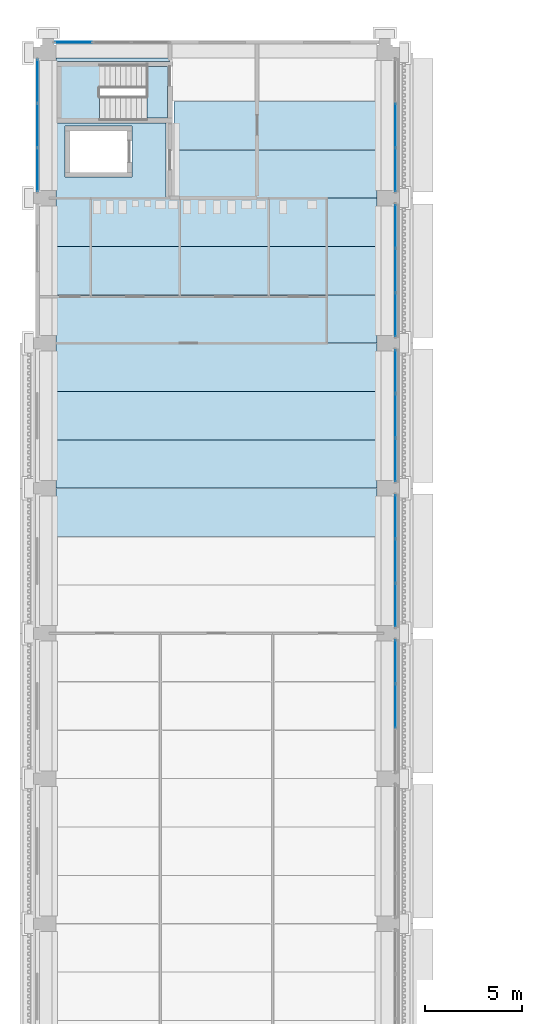
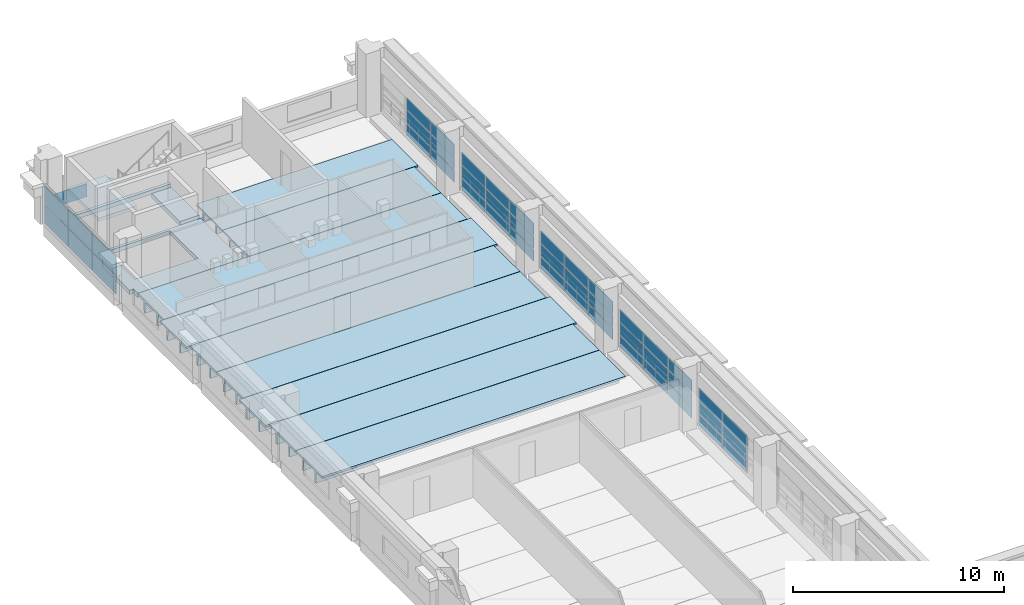
# One storey, part 25 of 71: 46 plates, 12 slabs, 8 elements without a shape of their own.
"""IFC4 building model written with IfcOpenShell, lengths in metres."""

import ifcopenshell
import ifcopenshell.guid

model = None  # the IFC model being written
_history = None  # IfcOwnerHistory: only IFC2X3 demands one
_inside = {}  # id of a spatial element -> (the spatial element, [elements in it])
_under = {}  # id of a project, library or spatial element -> (it, [spatial elements below it])
_declared = {}  # id of a project -> (the project, [libraries it declares])
_typed = {}  # id of a type object -> (the type object, [elements of that type])
_made_of = {}  # id of a material, layer set ... -> (it, [elements and type objects made of it])


def new_model(schema):
    """Start an empty IFC model of exactly this schema.

    Asked for "IFC4X3", IfcOpenShell would pick the latest addendum, in which some entities
    have other attributes; the version numbers below select the first issue.
    IFC2X3 requires an IfcOwnerHistory on every rooted entity: one is made here for all.
    """
    global model, _history
    if schema == "IFC4X3":
        model = ifcopenshell.file(schema_version=(4, 3, 0, 0))
    else:
        model = ifcopenshell.file(schema=schema)
    _inside.clear()
    _under.clear()
    _declared.clear()
    _typed.clear()
    _made_of.clear()
    _history = None
    if model.schema == "IFC2X3":
        org = make("IfcOrganization", Name="unknown")
        user = make(
            "IfcPersonAndOrganization",
            ThePerson=make("IfcPerson", FamilyName="unknown"),
            TheOrganization=org,
        )
        app = make(
            "IfcApplication",
            ApplicationDeveloper=org,
            Version="unknown",
            ApplicationFullName="unknown",
            ApplicationIdentifier="unknown",
        )
        _history = make(
            "IfcOwnerHistory",
            OwningUser=user,
            OwningApplication=app,
            ChangeAction="ADDED",
            CreationDate=0,
        )
    return model


def make(cls, **values):
    """One entity of the class cls with the attributes given. An attribute that is None is left unset."""
    return model.create_entity(
        cls, **{name: value for name, value in values.items() if value is not None}
    )


def rooted(cls, **values):
    """An entity with a GlobalId (a new one), such as an element, a storey or a relation."""
    return make(cls, GlobalId=ifcopenshell.guid.new(), OwnerHistory=_history, **values)


def si_unit(unit_type, name, prefix=None):
    """IfcSIUnit, for example si_unit("LENGTHUNIT", "METRE", prefix="MILLI")."""
    return make("IfcSIUnit", UnitType=unit_type, Prefix=prefix, Name=name)


def assignment(units):
    """IfcUnitAssignment: the units of a project."""
    return None if units is None else make("IfcUnitAssignment", Units=units)


def point(xyz):
    """IfcCartesianPoint."""
    return None if xyz is None else make("IfcCartesianPoint", Coordinates=xyz)


def direction(xyz):
    """IfcDirection."""
    return None if xyz is None else make("IfcDirection", DirectionRatios=xyz)


def frame(location, z_axis=None, x_axis=None):
    """IfcAxis2Placement3D, a coordinate frame: its origin and axes. An axis left out is left unset."""
    return make(
        "IfcAxis2Placement3D",
        Location=point(location),
        Axis=direction(z_axis),
        RefDirection=direction(x_axis),
    )


def frame_2d(location, x_axis=None):
    """IfcAxis2Placement2D, a coordinate frame in the plane: its origin and x axis."""
    return make(
        "IfcAxis2Placement2D", Location=point(location), RefDirection=direction(x_axis)
    )


def origin():
    """The frame at (0, 0, 0) with its axes left unset."""
    return frame((0.0, 0.0, 0.0))


def origin_2d():
    """The frame at (0, 0) in the plane with its x axis left unset."""
    return frame_2d((0.0, 0.0))


def place(relative_to, where):
    """IfcLocalPlacement: puts the frame where relative to a parent placement (None: the world)."""
    return make(
        "IfcLocalPlacement", PlacementRelTo=relative_to, RelativePlacement=where
    )


def context(
    kind, dimensions, precision=None, world=None, true_north=None, identifier=None
):
    """IfcGeometricRepresentationContext, for example the 3D "Model" context."""
    return make(
        "IfcGeometricRepresentationContext",
        ContextIdentifier=identifier,
        ContextType=kind,
        CoordinateSpaceDimension=dimensions,
        Precision=precision,
        WorldCoordinateSystem=world,
        TrueNorth=true_north,
    )


def subcontext(parent, identifier, kind, view, scale=None):
    """IfcGeometricRepresentationSubContext, for example "Body" below "Model"."""
    return make(
        "IfcGeometricRepresentationSubContext",
        ContextIdentifier=identifier,
        ContextType=kind,
        ParentContext=parent,
        TargetScale=scale,
        TargetView=view,
    )


def project(units=None, contexts=None):
    """IfcProject with its units and contexts."""
    return rooted(
        "IfcProject",
        Name="project",
        RepresentationContexts=contexts,
        UnitsInContext=assignment(units),
    )


def spatial(cls, under=None, at=None, **own):
    """A site, building, storey or space (cls), placed at a placement, below another one or the project."""
    s = rooted(cls, ObjectPlacement=at, **own)
    if under is not None:
        _under.setdefault(under.id(), (under, []))[1].append(s)
    return s


def polyline(points):
    """IfcPolyline through the points."""
    return make("IfcPolyline", Points=[point(p) for p in points])


def profile(cls, at=None, kind="AREA", **sizes):
    """A parametric profile (cls). Its sizes go by their IFC names, for example OverallWidth=200.0."""
    return make(cls, ProfileType=kind, Position=at, **sizes)


def rectangle(**sizes):
    """IfcRectangleProfileDef."""
    return profile("IfcRectangleProfileDef", **sizes)


def outline(outer, holes=None, kind="AREA"):
    """IfcArbitraryClosedProfileDef: a profile drawn as a closed curve; with holes, ...WithVoids."""
    if holes is None:
        return make("IfcArbitraryClosedProfileDef", ProfileType=kind, OuterCurve=outer)
    return make(
        "IfcArbitraryProfileDefWithVoids",
        ProfileType=kind,
        OuterCurve=outer,
        InnerCurves=holes,
    )


def extrude(swept, where, along, depth):
    """IfcExtrudedAreaSolid: the profile swept, set in the frame where, extruded along a direction by depth."""
    return make(
        "IfcExtrudedAreaSolid",
        SweptArea=swept,
        Position=where,
        ExtrudedDirection=direction(along),
        Depth=depth,
    )


def shape(context_of_items, identifier, shape_type, items):
    """IfcShapeRepresentation: the items that make up one representation, for example the "Body"."""
    return make(
        "IfcShapeRepresentation",
        ContextOfItems=context_of_items,
        RepresentationIdentifier=identifier,
        RepresentationType=shape_type,
        Items=items,
    )


def material(Name=None, Category=None):
    """IfcMaterial."""
    return make("IfcMaterial", Name=Name, Category=Category)


def layer(
    of_material, thickness, ventilated=None, Name=None, Category=None, Priority=None
):
    """IfcMaterialLayer: one layer of a wall or slab, of a material (None: an air gap)."""
    return make(
        "IfcMaterialLayer",
        Material=of_material,
        LayerThickness=thickness,
        IsVentilated=ventilated,
        Name=Name,
        Category=Category,
        Priority=Priority,
    )


def layer_set(layers, Name=None):
    """IfcMaterialLayerSet."""
    return make("IfcMaterialLayerSet", MaterialLayers=layers, LayerSetName=Name)


def material_profile(
    of_material, cross_section, Name=None, Category=None, Priority=None
):
    """IfcMaterialProfile: a cross section and its material."""
    return make(
        "IfcMaterialProfile",
        Name=Name,
        Material=of_material,
        Profile=cross_section,
        Priority=Priority,
        Category=Category,
    )


def profile_set(profiles, Name=None, composite=None):
    """IfcMaterialProfileSet."""
    return make(
        "IfcMaterialProfileSet",
        Name=Name,
        MaterialProfiles=profiles,
        CompositeProfile=composite,
    )


def made_of(thing, what):
    """Note that an element or type object is made of a material, layer set ...; save() writes the relation."""
    if what is not None:
        _made_of.setdefault(what.id(), (what, []))[1].append(thing)
    return thing


def type_object(cls, material=None, **own):
    """A type object (cls), such as IfcWallType, which elements share."""
    return made_of(rooted(cls, **own), material)


def element(
    cls,
    number,
    at=None,
    inside=None,
    cuts=None,
    type_object=None,
    material=None,
    context=None,
    identifier="Body",
    shape_type=None,
    held_by="IfcProductDefinitionShape",
    body=None,
    shapes=None,
    **own,
):
    """One element of the class cls, such as IfcWall. Its Tag is "e" and its number.

    at: its placement. inside: the storey or other place that contains it. cuts: it is an
    opening in that element (IfcRelVoidsElement). A single representation is given by context,
    identifier, shape_type and body (its items); several are given by shapes. held_by: the class
    of the entity that holds the representations. save() writes the other relations.
    """
    e = rooted(cls, Tag="e%d" % number, ObjectPlacement=at, **own)
    if body is not None:
        shapes = [shape(context, identifier, shape_type, body)]
    if shapes is not None:
        e.Representation = make(held_by, Representations=shapes)
    if inside is not None:
        _inside.setdefault(inside.id(), (inside, []))[1].append(e)
    if cuts is not None:
        rooted(
            "IfcRelVoidsElement", RelatingBuildingElement=cuts, RelatedOpeningElement=e
        )
    if type_object is not None:
        _typed.setdefault(type_object.id(), (type_object, []))[1].append(e)
    return made_of(e, material)


def aggregate(whole, parts):
    """IfcRelAggregates: a whole, such as a stair, and the parts it consists of."""
    return rooted("IfcRelAggregates", RelatingObject=whole, RelatedObjects=parts)


def save(model, path):
    """Write the relations noted so far, then the file.

    IfcRelAggregates (storeys below a building ...), IfcRelContainedInSpatialStructure (elements
    in a storey), IfcRelDefinesByType, IfcRelAssociatesMaterial and IfcRelDeclares: one each for
    every whole, place, type object, material and project.
    """
    for whole, parts in _under.values():
        aggregate(whole, parts)
    for where, things in _inside.values():
        rooted(
            "IfcRelContainedInSpatialStructure",
            RelatedElements=things,
            RelatingStructure=where,
        )
    for kind, things in _typed.values():
        rooted("IfcRelDefinesByType", RelatedObjects=things, RelatingType=kind)
    for what, things in _made_of.values():
        rooted("IfcRelAssociatesMaterial", RelatedObjects=things, RelatingMaterial=what)
    for by, libraries in _declared.values():
        rooted("IfcRelDeclares", RelatingContext=by, RelatedDefinitions=libraries)
    model.write(path)


model = new_model("IFC4")

# Units and contexts
model_context = context("Model", 3, precision=1e-05, world=origin(), true_north=direction((0.0, 1.0)))
body_context = subcontext(model_context, "Body", "Model", "MODEL_VIEW")
ifc_project = project(units=[si_unit("LENGTHUNIT", "METRE"), si_unit("AREAUNIT", "SQUARE_METRE"), si_unit("VOLUMEUNIT", "CUBIC_METRE"), si_unit("PLANEANGLEUNIT", "RADIAN"), si_unit("MASSUNIT", "GRAM", prefix="KILO")], contexts=[model_context])

# Site, building, storey
site_placement = place(None, origin())
site = spatial("IfcSite", under=ifc_project, at=site_placement, CompositionType="ELEMENT")
building_placement = place(site_placement, origin())
building = spatial("IfcBuilding", under=site, at=building_placement, Name="Cour d'Honneur Mobility Palace", CompositionType="ELEMENT")
storey_placement = place(building_placement, frame((0.0, 0.0, 15.60009765625)))
storey = spatial("IfcBuildingStorey", under=building, at=storey_placement, Name="L04", CompositionType="ELEMENT", Elevation=15.60009765625)

# Slabs
ifc_material_1 = material(Name="Concrete C50", Category="concrete")
ifc_layer_1 = layer(ifc_material_1, 0.25)
ifc_layer_set_1 = layer_set([ifc_layer_1], Name="Concrete C50")
slab_type_1 = type_object("IfcSlabType", Name="Cast-in-place Slab 250", PredefinedType="FLOOR", material=ifc_layer_set_1)
slab_1_placement = place(storey_placement, frame((0.0, 0.0, -0.25)))
element("IfcSlab", 1, at=slab_1_placement, inside=storey, type_object=slab_type_1, Name="Cast-in-place slab S1 L04 core", PredefinedType="FLOOR", context=body_context, shape_type="SweptSolid", body=[
    extrude(outline(polyline([(0.449951171875, 114.449951171875), (0.449951171875, 111.27490234375), (6.10009765625, 111.27490234375), (6.10009765625, 107.39990234375), (0.39990234375, 107.39990234375), (0.39990234375, 107.800048828125), (0.199951171875, 107.800048828125), (0.199951171875, 114.5), (0.39990234375, 114.5), (0.39990234375, 114.625), (6.300048828125, 114.625), (6.300048828125, 114.449951171875), (0.449951171875, 114.449951171875)]), holes=[polyline([(0.875, 111.125), (0.875, 108.47509765625), (4.324951171875, 108.47509765625), (4.324951171875, 111.125), (0.875, 111.125)])]), origin(), (0.0, 0.0, 1.0), 0.25),
])
slab_2_placement = place(storey_placement, frame((0.0, 0.0, -0.25)))
element("IfcSlab", 2, at=slab_2_placement, inside=storey, type_object=slab_type_1, Name="Cast-in-place slab S1 L04 core", PredefinedType="FLOOR", context=body_context, shape_type="SweptSolid", body=[
    extrude(outline(polyline([(6.175048828125, 111.52490234375), (5.10009765625, 111.52490234375), (5.10009765625, 114.199951171875), (6.175048828125, 114.199951171875), (6.175048828125, 111.52490234375)])), origin(), (0.0, 0.0, 1.0), 0.25),
])

# Curtain wall, plates
ifc_material_2 = material(Name="Aluminium and glass", Category="aluminium")
ifc_layer_2 = layer(ifc_material_2, 0.10009765625)
ifc_layer_set_2 = layer_set([ifc_layer_2], Name="Aluminium and glass")
curtain_wall_type = type_object("IfcCurtainWallType", Name="Curtain wall run", PredefinedType="NOTDEFINED", material=ifc_layer_set_2)
curtain_wall_1_placement = place(storey_placement, origin())
curtain_wall_1 = element("IfcCurtainWall", 3, at=curtain_wall_1_placement, inside=storey, type_object=curtain_wall_type, Name="Curtain wall CW-39", PredefinedType="NOTDEFINED")
ifc_material_3 = material(Name="Double glazing", Category="glass")
ifc_layer_3 = layer(ifc_material_3, 0.028076171875)
ifc_layer_set_3 = layer_set([ifc_layer_3], Name="Double glazing")
plate_type = type_object("IfcPlateType", Name="Curtain wall panel", PredefinedType="CURTAIN_PANEL", material=ifc_layer_set_3)
plate_1_placement = place(storey_placement, frame((17.949951171875, 81.14990234375, 0.059814453125), z_axis=(0.0, 0.0, 1.0), x_axis=(0.0, 1.0, 0.0)))
plate_1 = element("IfcPlate", 4, at=plate_1_placement, type_object=plate_type, Name="CW-39 panel 2.1", PredefinedType="CURTAIN_PANEL", context=body_context, shape_type="SweptSolid", body=[
    extrude(rectangle(XDim=2.239990234375, YDim=0.028076171875, at=origin_2d()), origin(), (0.0, 0.0, 1.0), 0.6767578125),
])
plate_2_placement = place(storey_placement, frame((17.949951171875, 81.14990234375, 0.79638671875), z_axis=(0.0, 0.0, 1.0), x_axis=(0.0, 1.0, 0.0)))
plate_2 = element("IfcPlate", 5, at=plate_2_placement, type_object=plate_type, Name="CW-39 panel 2.2", PredefinedType="CURTAIN_PANEL", context=body_context, shape_type="SweptSolid", body=[
    extrude(rectangle(XDim=2.239990234375, YDim=0.028076171875, at=origin_2d()), origin(), (0.0, 0.0, 1.0), 0.706787109375),
])
plate_3_placement = place(storey_placement, frame((17.949951171875, 81.14990234375, 1.563232421875), z_axis=(0.0, 0.0, 1.0), x_axis=(0.0, 1.0, 0.0)))
plate_3 = element("IfcPlate", 6, at=plate_3_placement, type_object=plate_type, Name="CW-39 panel 2.3", PredefinedType="CURTAIN_PANEL", context=body_context, shape_type="SweptSolid", body=[
    extrude(rectangle(XDim=2.239990234375, YDim=0.028076171875, at=origin_2d()), origin(), (0.0, 0.0, 1.0), 0.6767578125),
])
plate_4_placement = place(storey_placement, frame((17.949951171875, 83.43505859375, 0.059814453125), z_axis=(0.0, 0.0, 1.0), x_axis=(0.0, 1.0, 0.0)))
plate_4 = element("IfcPlate", 7, at=plate_4_placement, type_object=plate_type, Name="CW-39 panel 3.1", PredefinedType="CURTAIN_PANEL", context=body_context, shape_type="SweptSolid", body=[
    extrude(rectangle(XDim=2.2099609375, YDim=0.028076171875, at=origin_2d()), origin(), (0.0, 0.0, 1.0), 0.6767578125),
])
plate_5_placement = place(storey_placement, frame((17.949951171875, 83.43505859375, 0.79638671875), z_axis=(0.0, 0.0, 1.0), x_axis=(0.0, 1.0, 0.0)))
plate_5 = element("IfcPlate", 8, at=plate_5_placement, type_object=plate_type, Name="CW-39 panel 3.2", PredefinedType="CURTAIN_PANEL", context=body_context, shape_type="SweptSolid", body=[
    extrude(rectangle(XDim=2.2099609375, YDim=0.028076171875, at=origin_2d()), origin(), (0.0, 0.0, 1.0), 0.706787109375),
])
plate_6_placement = place(storey_placement, frame((17.949951171875, 83.43505859375, 1.563232421875), z_axis=(0.0, 0.0, 1.0), x_axis=(0.0, 1.0, 0.0)))
plate_6 = element("IfcPlate", 9, at=plate_6_placement, type_object=plate_type, Name="CW-39 panel 3.3", PredefinedType="CURTAIN_PANEL", context=body_context, shape_type="SweptSolid", body=[
    extrude(rectangle(XDim=2.2099609375, YDim=0.028076171875, at=origin_2d()), origin(), (0.0, 0.0, 1.0), 0.6767578125),
])
aggregate(curtain_wall_1, [plate_1, plate_2, plate_3, plate_4, plate_5, plate_6])

curtain_wall_2_placement = place(storey_placement, origin())
curtain_wall_2 = element("IfcCurtainWall", 10, at=curtain_wall_2_placement, inside=storey, type_object=curtain_wall_type, Name="Curtain wall CW-40", PredefinedType="NOTDEFINED")
plate_7_placement = place(storey_placement, frame((17.949951171875, 86.364990234375, 0.059814453125), z_axis=(0.0, 0.0, 1.0), x_axis=(0.0, 1.0, 0.0)))
plate_7 = element("IfcPlate", 11, at=plate_7_placement, type_object=plate_type, Name="CW-40 panel 1.1", PredefinedType="CURTAIN_PANEL", context=body_context, shape_type="SweptSolid", body=[
    extrude(rectangle(XDim=2.2099609375, YDim=0.028076171875, at=origin_2d()), origin(), (0.0, 0.0, 1.0), 0.6767578125),
])
plate_8_placement = place(storey_placement, frame((17.949951171875, 86.364990234375, 0.79638671875), z_axis=(0.0, 0.0, 1.0), x_axis=(0.0, 1.0, 0.0)))
plate_8 = element("IfcPlate", 12, at=plate_8_placement, type_object=plate_type, Name="CW-40 panel 1.2", PredefinedType="CURTAIN_PANEL", context=body_context, shape_type="SweptSolid", body=[
    extrude(rectangle(XDim=2.2099609375, YDim=0.028076171875, at=origin_2d()), origin(), (0.0, 0.0, 1.0), 0.706787109375),
])
plate_9_placement = place(storey_placement, frame((17.949951171875, 86.364990234375, 1.563232421875), z_axis=(0.0, 0.0, 1.0), x_axis=(0.0, 1.0, 0.0)))
plate_9 = element("IfcPlate", 13, at=plate_9_placement, type_object=plate_type, Name="CW-40 panel 1.3", PredefinedType="CURTAIN_PANEL", context=body_context, shape_type="SweptSolid", body=[
    extrude(rectangle(XDim=2.2099609375, YDim=0.028076171875, at=origin_2d()), origin(), (0.0, 0.0, 1.0), 0.6767578125),
])
plate_10_placement = place(storey_placement, frame((17.949951171875, 88.64990234375, 0.059814453125), z_axis=(0.0, 0.0, 1.0), x_axis=(0.0, 1.0, 0.0)))
plate_10 = element("IfcPlate", 14, at=plate_10_placement, type_object=plate_type, Name="CW-40 panel 2.1", PredefinedType="CURTAIN_PANEL", context=body_context, shape_type="SweptSolid", body=[
    extrude(rectangle(XDim=2.239990234375, YDim=0.028076171875, at=origin_2d()), origin(), (0.0, 0.0, 1.0), 0.6767578125),
])
plate_11_placement = place(storey_placement, frame((17.949951171875, 88.64990234375, 0.79638671875), z_axis=(0.0, 0.0, 1.0), x_axis=(0.0, 1.0, 0.0)))
plate_11 = element("IfcPlate", 15, at=plate_11_placement, type_object=plate_type, Name="CW-40 panel 2.2", PredefinedType="CURTAIN_PANEL", context=body_context, shape_type="SweptSolid", body=[
    extrude(rectangle(XDim=2.239990234375, YDim=0.028076171875, at=origin_2d()), origin(), (0.0, 0.0, 1.0), 0.706787109375),
])
plate_12_placement = place(storey_placement, frame((17.949951171875, 88.64990234375, 1.563232421875), z_axis=(0.0, 0.0, 1.0), x_axis=(0.0, 1.0, 0.0)))
plate_12 = element("IfcPlate", 16, at=plate_12_placement, type_object=plate_type, Name="CW-40 panel 2.3", PredefinedType="CURTAIN_PANEL", context=body_context, shape_type="SweptSolid", body=[
    extrude(rectangle(XDim=2.239990234375, YDim=0.028076171875, at=origin_2d()), origin(), (0.0, 0.0, 1.0), 0.6767578125),
])
plate_13_placement = place(storey_placement, frame((17.949951171875, 90.93505859375, 0.059814453125), z_axis=(0.0, 0.0, 1.0), x_axis=(0.0, 1.0, 0.0)))
plate_13 = element("IfcPlate", 17, at=plate_13_placement, type_object=plate_type, Name="CW-40 panel 3.1", PredefinedType="CURTAIN_PANEL", context=body_context, shape_type="SweptSolid", body=[
    extrude(rectangle(XDim=2.2099609375, YDim=0.028076171875, at=origin_2d()), origin(), (0.0, 0.0, 1.0), 0.6767578125),
])
plate_14_placement = place(storey_placement, frame((17.949951171875, 90.93505859375, 0.79638671875), z_axis=(0.0, 0.0, 1.0), x_axis=(0.0, 1.0, 0.0)))
plate_14 = element("IfcPlate", 18, at=plate_14_placement, type_object=plate_type, Name="CW-40 panel 3.2", PredefinedType="CURTAIN_PANEL", context=body_context, shape_type="SweptSolid", body=[
    extrude(rectangle(XDim=2.2099609375, YDim=0.028076171875, at=origin_2d()), origin(), (0.0, 0.0, 1.0), 0.706787109375),
])
plate_15_placement = place(storey_placement, frame((17.949951171875, 90.93505859375, 1.563232421875), z_axis=(0.0, 0.0, 1.0), x_axis=(0.0, 1.0, 0.0)))
plate_15 = element("IfcPlate", 19, at=plate_15_placement, type_object=plate_type, Name="CW-40 panel 3.3", PredefinedType="CURTAIN_PANEL", context=body_context, shape_type="SweptSolid", body=[
    extrude(rectangle(XDim=2.2099609375, YDim=0.028076171875, at=origin_2d()), origin(), (0.0, 0.0, 1.0), 0.6767578125),
])
aggregate(curtain_wall_2, [plate_7, plate_8, plate_9, plate_10, plate_11, plate_12, plate_13, plate_14, plate_15])

curtain_wall_3_placement = place(storey_placement, origin())
curtain_wall_3 = element("IfcCurtainWall", 20, at=curtain_wall_3_placement, inside=storey, type_object=curtain_wall_type, Name="Curtain wall CW-41", PredefinedType="NOTDEFINED")
plate_16_placement = place(storey_placement, frame((17.949951171875, 93.864990234375, 0.059814453125), z_axis=(0.0, 0.0, 1.0), x_axis=(0.0, 1.0, 0.0)))
plate_16 = element("IfcPlate", 21, at=plate_16_placement, type_object=plate_type, Name="CW-41 panel 1.1", PredefinedType="CURTAIN_PANEL", context=body_context, shape_type="SweptSolid", body=[
    extrude(rectangle(XDim=2.2099609375, YDim=0.028076171875, at=origin_2d()), origin(), (0.0, 0.0, 1.0), 0.6767578125),
])
plate_17_placement = place(storey_placement, frame((17.949951171875, 93.864990234375, 0.79638671875), z_axis=(0.0, 0.0, 1.0), x_axis=(0.0, 1.0, 0.0)))
plate_17 = element("IfcPlate", 22, at=plate_17_placement, type_object=plate_type, Name="CW-41 panel 1.2", PredefinedType="CURTAIN_PANEL", context=body_context, shape_type="SweptSolid", body=[
    extrude(rectangle(XDim=2.2099609375, YDim=0.028076171875, at=origin_2d()), origin(), (0.0, 0.0, 1.0), 0.706787109375),
])
plate_18_placement = place(storey_placement, frame((17.949951171875, 93.864990234375, 1.563232421875), z_axis=(0.0, 0.0, 1.0), x_axis=(0.0, 1.0, 0.0)))
plate_18 = element("IfcPlate", 23, at=plate_18_placement, type_object=plate_type, Name="CW-41 panel 1.3", PredefinedType="CURTAIN_PANEL", context=body_context, shape_type="SweptSolid", body=[
    extrude(rectangle(XDim=2.2099609375, YDim=0.028076171875, at=origin_2d()), origin(), (0.0, 0.0, 1.0), 0.6767578125),
])
plate_19_placement = place(storey_placement, frame((17.949951171875, 96.14990234375, 0.059814453125), z_axis=(0.0, 0.0, 1.0), x_axis=(0.0, 1.0, 0.0)))
plate_19 = element("IfcPlate", 24, at=plate_19_placement, type_object=plate_type, Name="CW-41 panel 2.1", PredefinedType="CURTAIN_PANEL", context=body_context, shape_type="SweptSolid", body=[
    extrude(rectangle(XDim=2.239990234375, YDim=0.028076171875, at=origin_2d()), origin(), (0.0, 0.0, 1.0), 0.6767578125),
])
plate_20_placement = place(storey_placement, frame((17.949951171875, 96.14990234375, 0.79638671875), z_axis=(0.0, 0.0, 1.0), x_axis=(0.0, 1.0, 0.0)))
plate_20 = element("IfcPlate", 25, at=plate_20_placement, type_object=plate_type, Name="CW-41 panel 2.2", PredefinedType="CURTAIN_PANEL", context=body_context, shape_type="SweptSolid", body=[
    extrude(rectangle(XDim=2.239990234375, YDim=0.028076171875, at=origin_2d()), origin(), (0.0, 0.0, 1.0), 0.706787109375),
])
plate_21_placement = place(storey_placement, frame((17.949951171875, 96.14990234375, 1.563232421875), z_axis=(0.0, 0.0, 1.0), x_axis=(0.0, 1.0, 0.0)))
plate_21 = element("IfcPlate", 26, at=plate_21_placement, type_object=plate_type, Name="CW-41 panel 2.3", PredefinedType="CURTAIN_PANEL", context=body_context, shape_type="SweptSolid", body=[
    extrude(rectangle(XDim=2.239990234375, YDim=0.028076171875, at=origin_2d()), origin(), (0.0, 0.0, 1.0), 0.6767578125),
])
plate_22_placement = place(storey_placement, frame((17.949951171875, 98.43505859375, 0.059814453125), z_axis=(0.0, 0.0, 1.0), x_axis=(0.0, 1.0, 0.0)))
plate_22 = element("IfcPlate", 27, at=plate_22_placement, type_object=plate_type, Name="CW-41 panel 3.1", PredefinedType="CURTAIN_PANEL", context=body_context, shape_type="SweptSolid", body=[
    extrude(rectangle(XDim=2.2099609375, YDim=0.028076171875, at=origin_2d()), origin(), (0.0, 0.0, 1.0), 0.6767578125),
])
plate_23_placement = place(storey_placement, frame((17.949951171875, 98.43505859375, 0.79638671875), z_axis=(0.0, 0.0, 1.0), x_axis=(0.0, 1.0, 0.0)))
plate_23 = element("IfcPlate", 28, at=plate_23_placement, type_object=plate_type, Name="CW-41 panel 3.2", PredefinedType="CURTAIN_PANEL", context=body_context, shape_type="SweptSolid", body=[
    extrude(rectangle(XDim=2.2099609375, YDim=0.028076171875, at=origin_2d()), origin(), (0.0, 0.0, 1.0), 0.706787109375),
])
plate_24_placement = place(storey_placement, frame((17.949951171875, 98.43505859375, 1.563232421875), z_axis=(0.0, 0.0, 1.0), x_axis=(0.0, 1.0, 0.0)))
plate_24 = element("IfcPlate", 29, at=plate_24_placement, type_object=plate_type, Name="CW-41 panel 3.3", PredefinedType="CURTAIN_PANEL", context=body_context, shape_type="SweptSolid", body=[
    extrude(rectangle(XDim=2.2099609375, YDim=0.028076171875, at=origin_2d()), origin(), (0.0, 0.0, 1.0), 0.6767578125),
])
aggregate(curtain_wall_3, [plate_16, plate_17, plate_18, plate_19, plate_20, plate_21, plate_22, plate_23, plate_24])

curtain_wall_4_placement = place(storey_placement, origin())
curtain_wall_4 = element("IfcCurtainWall", 30, at=curtain_wall_4_placement, inside=storey, type_object=curtain_wall_type, Name="Curtain wall CW-42", PredefinedType="NOTDEFINED")
plate_25_placement = place(storey_placement, frame((17.949951171875, 101.364990234375, 0.059814453125), z_axis=(0.0, 0.0, 1.0), x_axis=(0.0, 1.0, 0.0)))
plate_25 = element("IfcPlate", 31, at=plate_25_placement, type_object=plate_type, Name="CW-42 panel 1.1", PredefinedType="CURTAIN_PANEL", context=body_context, shape_type="SweptSolid", body=[
    extrude(rectangle(XDim=2.2099609375, YDim=0.028076171875, at=origin_2d()), origin(), (0.0, 0.0, 1.0), 0.6767578125),
])
plate_26_placement = place(storey_placement, frame((17.949951171875, 101.364990234375, 0.79638671875), z_axis=(0.0, 0.0, 1.0), x_axis=(0.0, 1.0, 0.0)))
plate_26 = element("IfcPlate", 32, at=plate_26_placement, type_object=plate_type, Name="CW-42 panel 1.2", PredefinedType="CURTAIN_PANEL", context=body_context, shape_type="SweptSolid", body=[
    extrude(rectangle(XDim=2.2099609375, YDim=0.028076171875, at=origin_2d()), origin(), (0.0, 0.0, 1.0), 0.706787109375),
])
plate_27_placement = place(storey_placement, frame((17.949951171875, 101.364990234375, 1.563232421875), z_axis=(0.0, 0.0, 1.0), x_axis=(0.0, 1.0, 0.0)))
plate_27 = element("IfcPlate", 33, at=plate_27_placement, type_object=plate_type, Name="CW-42 panel 1.3", PredefinedType="CURTAIN_PANEL", context=body_context, shape_type="SweptSolid", body=[
    extrude(rectangle(XDim=2.2099609375, YDim=0.028076171875, at=origin_2d()), origin(), (0.0, 0.0, 1.0), 0.6767578125),
])
plate_28_placement = place(storey_placement, frame((17.949951171875, 103.64990234375, 0.059814453125), z_axis=(0.0, 0.0, 1.0), x_axis=(0.0, 1.0, 0.0)))
plate_28 = element("IfcPlate", 34, at=plate_28_placement, type_object=plate_type, Name="CW-42 panel 2.1", PredefinedType="CURTAIN_PANEL", context=body_context, shape_type="SweptSolid", body=[
    extrude(rectangle(XDim=2.239990234375, YDim=0.028076171875, at=origin_2d()), origin(), (0.0, 0.0, 1.0), 0.6767578125),
])
plate_29_placement = place(storey_placement, frame((17.949951171875, 103.64990234375, 0.79638671875), z_axis=(0.0, 0.0, 1.0), x_axis=(0.0, 1.0, 0.0)))
plate_29 = element("IfcPlate", 35, at=plate_29_placement, type_object=plate_type, Name="CW-42 panel 2.2", PredefinedType="CURTAIN_PANEL", context=body_context, shape_type="SweptSolid", body=[
    extrude(rectangle(XDim=2.239990234375, YDim=0.028076171875, at=origin_2d()), origin(), (0.0, 0.0, 1.0), 0.706787109375),
])
plate_30_placement = place(storey_placement, frame((17.949951171875, 103.64990234375, 1.563232421875), z_axis=(0.0, 0.0, 1.0), x_axis=(0.0, 1.0, 0.0)))
plate_30 = element("IfcPlate", 36, at=plate_30_placement, type_object=plate_type, Name="CW-42 panel 2.3", PredefinedType="CURTAIN_PANEL", context=body_context, shape_type="SweptSolid", body=[
    extrude(rectangle(XDim=2.239990234375, YDim=0.028076171875, at=origin_2d()), origin(), (0.0, 0.0, 1.0), 0.6767578125),
])
plate_31_placement = place(storey_placement, frame((17.949951171875, 105.93505859375, 0.059814453125), z_axis=(0.0, 0.0, 1.0), x_axis=(0.0, 1.0, 0.0)))
plate_31 = element("IfcPlate", 37, at=plate_31_placement, type_object=plate_type, Name="CW-42 panel 3.1", PredefinedType="CURTAIN_PANEL", context=body_context, shape_type="SweptSolid", body=[
    extrude(rectangle(XDim=2.2099609375, YDim=0.028076171875, at=origin_2d()), origin(), (0.0, 0.0, 1.0), 0.6767578125),
])
plate_32_placement = place(storey_placement, frame((17.949951171875, 105.93505859375, 0.79638671875), z_axis=(0.0, 0.0, 1.0), x_axis=(0.0, 1.0, 0.0)))
plate_32 = element("IfcPlate", 38, at=plate_32_placement, type_object=plate_type, Name="CW-42 panel 3.2", PredefinedType="CURTAIN_PANEL", context=body_context, shape_type="SweptSolid", body=[
    extrude(rectangle(XDim=2.2099609375, YDim=0.028076171875, at=origin_2d()), origin(), (0.0, 0.0, 1.0), 0.706787109375),
])
plate_33_placement = place(storey_placement, frame((17.949951171875, 105.93505859375, 1.563232421875), z_axis=(0.0, 0.0, 1.0), x_axis=(0.0, 1.0, 0.0)))
plate_33 = element("IfcPlate", 39, at=plate_33_placement, type_object=plate_type, Name="CW-42 panel 3.3", PredefinedType="CURTAIN_PANEL", context=body_context, shape_type="SweptSolid", body=[
    extrude(rectangle(XDim=2.2099609375, YDim=0.028076171875, at=origin_2d()), origin(), (0.0, 0.0, 1.0), 0.6767578125),
])
aggregate(curtain_wall_4, [plate_25, plate_26, plate_27, plate_28, plate_29, plate_30, plate_31, plate_32, plate_33])

curtain_wall_5_placement = place(storey_placement, origin())
curtain_wall_5 = element("IfcCurtainWall", 40, at=curtain_wall_5_placement, inside=storey, type_object=curtain_wall_type, Name="Curtain wall CW-43", PredefinedType="NOTDEFINED")
plate_34_placement = place(storey_placement, frame((17.949951171875, 108.864990234375, 0.059814453125), z_axis=(0.0, 0.0, 1.0), x_axis=(0.0, 1.0, 0.0)))
plate_34 = element("IfcPlate", 41, at=plate_34_placement, type_object=plate_type, Name="CW-43 panel 1.1", PredefinedType="CURTAIN_PANEL", context=body_context, shape_type="SweptSolid", body=[
    extrude(rectangle(XDim=2.2099609375, YDim=0.028076171875, at=origin_2d()), origin(), (0.0, 0.0, 1.0), 0.6767578125),
])
plate_35_placement = place(storey_placement, frame((17.949951171875, 108.864990234375, 0.79638671875), z_axis=(0.0, 0.0, 1.0), x_axis=(0.0, 1.0, 0.0)))
plate_35 = element("IfcPlate", 42, at=plate_35_placement, type_object=plate_type, Name="CW-43 panel 1.2", PredefinedType="CURTAIN_PANEL", context=body_context, shape_type="SweptSolid", body=[
    extrude(rectangle(XDim=2.2099609375, YDim=0.028076171875, at=origin_2d()), origin(), (0.0, 0.0, 1.0), 0.706787109375),
])
plate_36_placement = place(storey_placement, frame((17.949951171875, 108.864990234375, 1.563232421875), z_axis=(0.0, 0.0, 1.0), x_axis=(0.0, 1.0, 0.0)))
plate_36 = element("IfcPlate", 43, at=plate_36_placement, type_object=plate_type, Name="CW-43 panel 1.3", PredefinedType="CURTAIN_PANEL", context=body_context, shape_type="SweptSolid", body=[
    extrude(rectangle(XDim=2.2099609375, YDim=0.028076171875, at=origin_2d()), origin(), (0.0, 0.0, 1.0), 0.6767578125),
])
plate_37_placement = place(storey_placement, frame((17.949951171875, 111.14990234375, 0.059814453125), z_axis=(0.0, 0.0, 1.0), x_axis=(0.0, 1.0, 0.0)))
plate_37 = element("IfcPlate", 44, at=plate_37_placement, type_object=plate_type, Name="CW-43 panel 2.1", PredefinedType="CURTAIN_PANEL", context=body_context, shape_type="SweptSolid", body=[
    extrude(rectangle(XDim=2.239990234375, YDim=0.028076171875, at=origin_2d()), origin(), (0.0, 0.0, 1.0), 0.6767578125),
])
plate_38_placement = place(storey_placement, frame((17.949951171875, 111.14990234375, 0.79638671875), z_axis=(0.0, 0.0, 1.0), x_axis=(0.0, 1.0, 0.0)))
plate_38 = element("IfcPlate", 45, at=plate_38_placement, type_object=plate_type, Name="CW-43 panel 2.2", PredefinedType="CURTAIN_PANEL", context=body_context, shape_type="SweptSolid", body=[
    extrude(rectangle(XDim=2.239990234375, YDim=0.028076171875, at=origin_2d()), origin(), (0.0, 0.0, 1.0), 0.706787109375),
])
plate_39_placement = place(storey_placement, frame((17.949951171875, 111.14990234375, 1.563232421875), z_axis=(0.0, 0.0, 1.0), x_axis=(0.0, 1.0, 0.0)))
plate_39 = element("IfcPlate", 46, at=plate_39_placement, type_object=plate_type, Name="CW-43 panel 2.3", PredefinedType="CURTAIN_PANEL", context=body_context, shape_type="SweptSolid", body=[
    extrude(rectangle(XDim=2.239990234375, YDim=0.028076171875, at=origin_2d()), origin(), (0.0, 0.0, 1.0), 0.6767578125),
])
aggregate(curtain_wall_5, [plate_34, plate_35, plate_36, plate_37, plate_38, plate_39])

# Curtain wall, plate
curtain_wall_6_placement = place(storey_placement, origin())
curtain_wall_6 = element("IfcCurtainWall", 47, at=curtain_wall_6_placement, inside=storey, type_object=curtain_wall_type, Name="Curtain wall CW-130", PredefinedType="NOTDEFINED")
plate_40_placement = place(storey_placement, frame((1.31494140625, 115.449951171875, 0.06005859375), z_axis=(0.0, 0.0, 1.0), x_axis=(-1.0, 0.0, 0.0)))
plate_40 = element("IfcPlate", 48, at=plate_40_placement, type_object=plate_type, Name="CW-130 panel 3.1", PredefinedType="CURTAIN_PANEL", context=body_context, shape_type="SweptSolid", body=[
    extrude(rectangle(XDim=1.909912109375, YDim=0.028076171875, at=origin_2d()), origin(), (0.0, 0.0, 1.0), 0.760009765625),
])
aggregate(curtain_wall_6, [plate_40])

# Curtain wall, plates
curtain_wall_7_placement = place(storey_placement, origin())
curtain_wall_7 = element("IfcCurtainWall", 49, at=curtain_wall_7_placement, inside=storey, type_object=curtain_wall_type, Name="Curtain wall CW-131", PredefinedType="NOTDEFINED")
plate_41_placement = place(storey_placement, frame((-0.550048828125, 113.43505859375, 0.059814453125), z_axis=(0.0, 0.0, 1.0), x_axis=(0.0, -1.0, 0.0)))
plate_41 = element("IfcPlate", 50, at=plate_41_placement, type_object=plate_type, Name="CW-131 panel 1.1", PredefinedType="CURTAIN_PANEL", context=body_context, shape_type="SweptSolid", body=[
    extrude(rectangle(XDim=2.2099609375, YDim=0.028076171875, at=origin_2d()), origin(), (0.0, 0.0, 1.0), 1.06005859375),
])
plate_42_placement = place(storey_placement, frame((-0.550048828125, 113.43505859375, 1.179931640625), z_axis=(0.0, 0.0, 1.0), x_axis=(0.0, -1.0, 0.0)))
plate_42 = element("IfcPlate", 51, at=plate_42_placement, type_object=plate_type, Name="CW-131 panel 1.2", PredefinedType="CURTAIN_PANEL", context=body_context, shape_type="SweptSolid", body=[
    extrude(rectangle(XDim=2.2099609375, YDim=0.028076171875, at=origin_2d()), origin(), (0.0, 0.0, 1.0), 1.06005859375),
])
plate_43_placement = place(storey_placement, frame((-0.550048828125, 111.14990234375, 0.059814453125), z_axis=(0.0, 0.0, 1.0), x_axis=(0.0, -1.0, 0.0)))
plate_43 = element("IfcPlate", 52, at=plate_43_placement, type_object=plate_type, Name="CW-131 panel 2.1", PredefinedType="CURTAIN_PANEL", context=body_context, shape_type="SweptSolid", body=[
    extrude(rectangle(XDim=2.239990234375, YDim=0.028076171875, at=origin_2d()), origin(), (0.0, 0.0, 1.0), 1.06005859375),
])
plate_44_placement = place(storey_placement, frame((-0.550048828125, 111.14990234375, 1.179931640625), z_axis=(0.0, 0.0, 1.0), x_axis=(0.0, -1.0, 0.0)))
plate_44 = element("IfcPlate", 53, at=plate_44_placement, type_object=plate_type, Name="CW-131 panel 2.2", PredefinedType="CURTAIN_PANEL", context=body_context, shape_type="SweptSolid", body=[
    extrude(rectangle(XDim=2.239990234375, YDim=0.028076171875, at=origin_2d()), origin(), (0.0, 0.0, 1.0), 1.06005859375),
])
plate_45_placement = place(storey_placement, frame((-0.550048828125, 108.864990234375, 0.059814453125), z_axis=(0.0, 0.0, 1.0), x_axis=(0.0, -1.0, 0.0)))
plate_45 = element("IfcPlate", 54, at=plate_45_placement, type_object=plate_type, Name="CW-131 panel 3.1", PredefinedType="CURTAIN_PANEL", context=body_context, shape_type="SweptSolid", body=[
    extrude(rectangle(XDim=2.2099609375, YDim=0.028076171875, at=origin_2d()), origin(), (0.0, 0.0, 1.0), 1.06005859375),
])
plate_46_placement = place(storey_placement, frame((-0.550048828125, 108.864990234375, 1.179931640625), z_axis=(0.0, 0.0, 1.0), x_axis=(0.0, -1.0, 0.0)))
plate_46 = element("IfcPlate", 55, at=plate_46_placement, type_object=plate_type, Name="CW-131 panel 3.2", PredefinedType="CURTAIN_PANEL", context=body_context, shape_type="SweptSolid", body=[
    extrude(rectangle(XDim=2.2099609375, YDim=0.028076171875, at=origin_2d()), origin(), (0.0, 0.0, 1.0), 1.06005859375),
])
aggregate(curtain_wall_7, [plate_41, plate_42, plate_43, plate_44, plate_45, plate_46])

# Slabs
ifc_material_4 = material(Name="Concrete C45", Category="concrete")
ifc_material_profile_1 = material_profile(ifc_material_4, outline(polyline([(-1.2451171875, 0.0), (1.2451171875, 0.0), (1.2451171875, -0.10009765625), (0.679931640625, -0.10009765625), (0.64990234375, -0.60009765625), (0.550048828125, -0.60009765625), (0.52001953125, -0.10009765625), (-0.52001953125, -0.10009765625), (-0.550048828125, -0.60009765625), (-0.64990234375, -0.60009765625), (-0.679931640625, -0.10009765625), (-1.2451171875, -0.10009765625), (-1.2451171875, 0.0)])), Name="DT 2490x600")
ifc_profile_set_1 = profile_set([ifc_material_profile_1], Name="Concrete C45")
slab_type_2 = type_object("IfcSlabType", Name="DT 2490x600", PredefinedType="FLOOR", material=ifc_profile_set_1)
slab_3_placement = place(storey_placement, frame((6.5, 108.64990234375, 0.0), z_axis=(1.0, 0.0, 0.0), x_axis=(0.0, 1.0, 0.0)))
element("IfcSlab", 56, at=slab_3_placement, inside=storey, type_object=slab_type_2, Name="Double tee DT-NW19 L04", PredefinedType="FLOOR", context=body_context, shape_type="SweptSolid", body=[
    extrude(outline(polyline([(-1.2451171875, 0.0), (1.2451171875, 0.0), (1.2451171875, -0.10009765625), (0.679931640625, -0.10009765625), (0.64990234375, -0.60009765625), (0.550048828125, -0.60009765625), (0.52001953125, -0.10009765625), (-0.52001953125, -0.10009765625), (-0.550048828125, -0.60009765625), (-0.64990234375, -0.60009765625), (-0.679931640625, -0.10009765625), (-1.2451171875, -0.10009765625), (-1.2451171875, 0.0)])), origin(), (0.0, 0.0, 1.0), 10.5),
])
slab_4_placement = place(storey_placement, frame((6.5, 111.14990234375, 0.0), z_axis=(1.0, 0.0, 0.0), x_axis=(0.0, 1.0, 0.0)))
element("IfcSlab", 57, at=slab_4_placement, inside=storey, type_object=slab_type_2, Name="Double tee DT-NW20 L04", PredefinedType="FLOOR", context=body_context, shape_type="SweptSolid", body=[
    extrude(outline(polyline([(-1.2451171875, 0.0), (1.2451171875, 0.0), (1.2451171875, -0.10009765625), (0.679931640625, -0.10009765625), (0.64990234375, -0.60009765625), (0.550048828125, -0.60009765625), (0.52001953125, -0.10009765625), (-0.52001953125, -0.10009765625), (-0.550048828125, -0.60009765625), (-0.64990234375, -0.60009765625), (-0.679931640625, -0.10009765625), (-1.2451171875, -0.10009765625), (-1.2451171875, 0.0)])), origin(), (0.0, 0.0, 1.0), 10.699951171875),
])
ifc_material_5 = material(Name="Concrete C45", Category="concrete")
ifc_material_profile_2 = material_profile(ifc_material_5, outline(polyline([(-1.2451171875, 0.0), (1.2451171875, 0.0), (1.2451171875, -0.10009765625), (0.679931640625, -0.10009765625), (0.64990234375, -0.75), (0.550048828125, -0.75), (0.52001953125, -0.10009765625), (-0.52001953125, -0.10009765625), (-0.550048828125, -0.75), (-0.64990234375, -0.75), (-0.679931640625, -0.10009765625), (-1.2451171875, -0.10009765625), (-1.2451171875, 0.0)])), Name="DT 2490x750")
ifc_profile_set_2 = profile_set([ifc_material_profile_2], Name="Concrete C45")
slab_type_3 = type_object("IfcSlabType", Name="DT 2490x750", PredefinedType="FLOOR", material=ifc_profile_set_2)
for number, where, z_axis, x_axis, name in (
    (58, (0.39990234375, 91.14990234375, 0.0), (1.0, 0.0, 0.0), (0.0, 1.0, 0.0), "Double tee DT-NW12 L04"),
    (59, (0.39990234375, 93.64990234375, 0.0), (1.0, 0.0, 0.0), (0.0, 1.0, 0.0), "Double tee DT-NW13 L04"),
):
    element("IfcSlab", number, at=place(storey_placement, frame(where, z_axis=z_axis, x_axis=x_axis)), inside=storey, type_object=slab_type_3, Name=name, PredefinedType="FLOOR", context=body_context, shape_type="SweptSolid", body=[
        extrude(outline(polyline([(-1.2451171875, 0.0), (1.2451171875, 0.0), (1.2451171875, -0.10009765625), (0.679931640625, -0.10009765625), (0.64990234375, -0.75), (0.550048828125, -0.75), (0.52001953125, -0.10009765625), (-0.52001953125, -0.10009765625), (-0.550048828125, -0.75), (-0.64990234375, -0.75), (-0.679931640625, -0.10009765625), (-1.2451171875, -0.10009765625), (-1.2451171875, 0.0)])), origin(), (0.0, 0.0, 1.0), 16.60009765625),
    ])
slab_5_placement = place(storey_placement, frame((0.199951171875, 96.14990234375, 0.0), z_axis=(1.0, 0.0, 0.0), x_axis=(0.0, 1.0, 0.0)))
element("IfcSlab", 60, at=slab_5_placement, inside=storey, type_object=slab_type_3, Name="Double tee DT-NW14 L04", PredefinedType="FLOOR", context=body_context, shape_type="SweptSolid", body=[
    extrude(outline(polyline([(-1.2451171875, 0.0), (1.2451171875, 0.0), (1.2451171875, -0.10009765625), (0.679931640625, -0.10009765625), (0.64990234375, -0.75), (0.550048828125, -0.75), (0.52001953125, -0.10009765625), (-0.52001953125, -0.10009765625), (-0.550048828125, -0.75), (-0.64990234375, -0.75), (-0.679931640625, -0.10009765625), (-1.2451171875, -0.10009765625), (-1.2451171875, 0.0)])), origin(), (0.0, 0.0, 1.0), 17.0),
])
for number, where, z_axis, x_axis, name in (
    (61, (0.39990234375, 98.64990234375, 0.0), (1.0, 0.0, 0.0), (0.0, 1.0, 0.0), "Double tee DT-NW15 L04"),
    (62, (0.39990234375, 101.14990234375, 0.0), (1.0, 0.0, 0.0), (0.0, 1.0, 0.0), "Double tee DT-NW16 L04"),
):
    element("IfcSlab", number, at=place(storey_placement, frame(where, z_axis=z_axis, x_axis=x_axis)), inside=storey, type_object=slab_type_3, Name=name, PredefinedType="FLOOR", context=body_context, shape_type="SweptSolid", body=[
        extrude(outline(polyline([(-1.2451171875, 0.0), (1.2451171875, 0.0), (1.2451171875, -0.10009765625), (0.679931640625, -0.10009765625), (0.64990234375, -0.75), (0.550048828125, -0.75), (0.52001953125, -0.10009765625), (-0.52001953125, -0.10009765625), (-0.550048828125, -0.75), (-0.64990234375, -0.75), (-0.679931640625, -0.10009765625), (-1.2451171875, -0.10009765625), (-1.2451171875, 0.0)])), origin(), (0.0, 0.0, 1.0), 16.60009765625),
    ])
slab_6_placement = place(storey_placement, frame((0.199951171875, 103.64990234375, 0.0), z_axis=(1.0, 0.0, 0.0), x_axis=(0.0, 1.0, 0.0)))
element("IfcSlab", 63, at=slab_6_placement, inside=storey, type_object=slab_type_3, Name="Double tee DT-NW17 L04", PredefinedType="FLOOR", context=body_context, shape_type="SweptSolid", body=[
    extrude(outline(polyline([(-1.2451171875, 0.0), (1.2451171875, 0.0), (1.2451171875, -0.10009765625), (0.679931640625, -0.10009765625), (0.64990234375, -0.75), (0.550048828125, -0.75), (0.52001953125, -0.10009765625), (-0.52001953125, -0.10009765625), (-0.550048828125, -0.75), (-0.64990234375, -0.75), (-0.679931640625, -0.10009765625), (-1.2451171875, -0.10009765625), (-1.2451171875, 0.0)])), origin(), (0.0, 0.0, 1.0), 17.0),
])
slab_7_placement = place(storey_placement, frame((0.39990234375, 106.14990234375, 0.0), z_axis=(1.0, 0.0, 0.0), x_axis=(0.0, 1.0, 0.0)))
element("IfcSlab", 64, at=slab_7_placement, inside=storey, type_object=slab_type_3, Name="Double tee DT-NW18 L04", PredefinedType="FLOOR", context=body_context, shape_type="SweptSolid", body=[
    extrude(outline(polyline([(-1.2451171875, 0.0), (1.2451171875, 0.0), (1.2451171875, -0.10009765625), (0.679931640625, -0.10009765625), (0.64990234375, -0.75), (0.550048828125, -0.75), (0.52001953125, -0.10009765625), (-0.52001953125, -0.10009765625), (-0.550048828125, -0.75), (-0.64990234375, -0.75), (-0.679931640625, -0.10009765625), (-1.2451171875, -0.10009765625), (-1.2451171875, 0.0)])), origin(), (0.0, 0.0, 1.0), 16.60009765625),
])

# Stair, slab
ifc_material_6 = material(Name="Concrete C50", Category="concrete")
stair_type = type_object("IfcStairType", Name="Stair 20 risers", PredefinedType="HALF_TURN_STAIR", material=ifc_material_6)
stair_placement = place(storey_placement, origin())
stair = element("IfcStair", 65, at=stair_placement, inside=storey, type_object=stair_type, Name="Stair ST-NW1", PredefinedType="HALF_TURN_STAIR")
ifc_material_7 = material(Name="Concrete C50", Category="concrete")
ifc_layer_4 = layer(ifc_material_7, 0.199951171875)
ifc_layer_set_4 = layer_set([ifc_layer_4], Name="Concrete C50")
slab_type_4 = type_object("IfcSlabType", Name="Stair landing", PredefinedType="LANDING", material=ifc_layer_set_4)
slab_8_placement = place(storey_placement, frame((0.0, 0.0, 1.64990234375)))
slab_8 = element("IfcSlab", 66, at=slab_8_placement, type_object=slab_type_4, Name="ST-NW1 landing 1", PredefinedType="LANDING", context=body_context, shape_type="SweptSolid", body=[
    extrude(outline(polyline([(0.574951171875, 111.39990234375), (2.669921875, 111.39990234375), (2.669921875, 114.324951171875), (0.574951171875, 114.324951171875), (0.574951171875, 111.39990234375)])), origin(), (0.0, 0.0, 1.0), 0.199951171875),
])
aggregate(stair, [slab_8])

save(model, "model.ifc")
